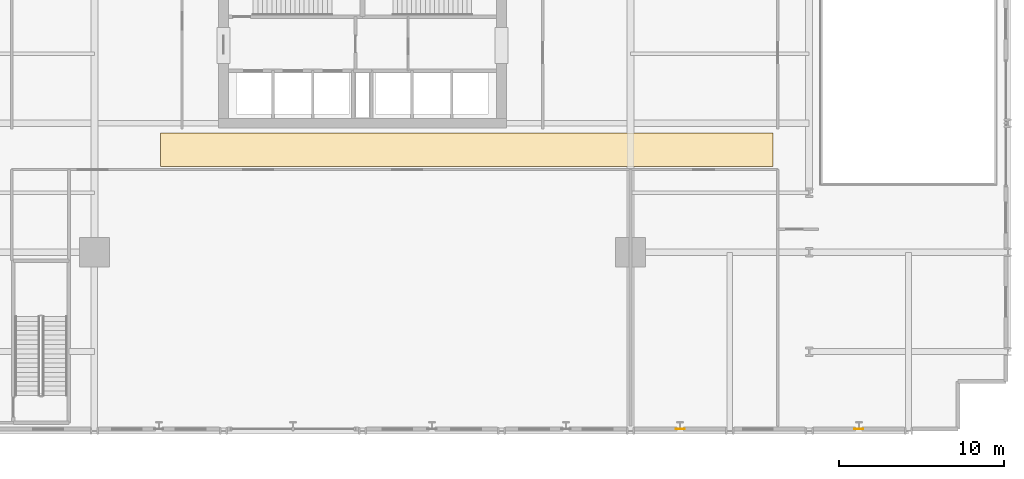
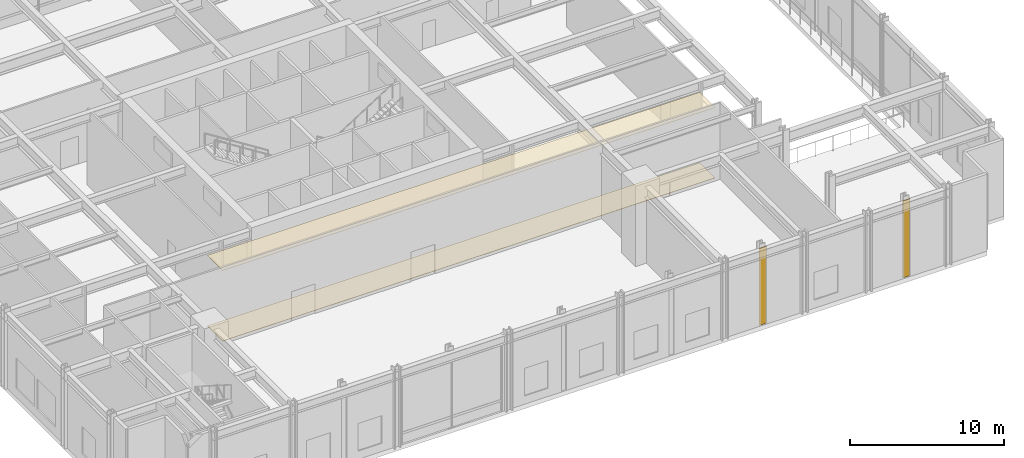
# One storey, part 17 of 20: 4 coverings.
"""IFC4 building model written with IfcOpenShell, lengths in metres."""

from ifc_helpers import new_model, si_unit, direction, frame, origin, origin_2d, place, context, subcontext, project, spatial, polyline, rectangle, outline, extrude, material, layer, layer_set, type_object, element, save


model = new_model("IFC4")

# Units and contexts
model_context = context("Model", 3, precision=1e-05, world=origin(), true_north=direction((0.0, 1.0)))
body_context = subcontext(model_context, "Body", "Model", "MODEL_VIEW")
ifc_project = project(units=[si_unit("LENGTHUNIT", "METRE"), si_unit("AREAUNIT", "SQUARE_METRE"), si_unit("VOLUMEUNIT", "CUBIC_METRE"), si_unit("PLANEANGLEUNIT", "RADIAN"), si_unit("MASSUNIT", "GRAM", prefix="KILO")], contexts=[model_context])

# Site, building, storey
site_placement = place(None, origin())
site = spatial("IfcSite", under=ifc_project, at=site_placement, CompositionType="ELEMENT")
building_placement = place(site_placement, origin())
building = spatial("IfcBuilding", under=site, at=building_placement, Name="Drelvath Grand Hotel", CompositionType="ELEMENT")
storey_placement = place(building_placement, frame((0.0, 0.0, 10.800048828125)))
storey = spatial("IfcBuildingStorey", under=building, at=storey_placement, Name="L02", CompositionType="ELEMENT", Elevation=10.800048828125)

# Coverings
ifc_material_1 = material(Name="Acoustic Gypsum Board")
ifc_layer_1 = layer(ifc_material_1, 0.02490234375)
ifc_layer_set_1 = layer_set([ifc_layer_1], Name="Acoustic Gypsum Board")
covering_type_1 = type_object("IfcCoveringType", Name="Acoustic Gypsum Hospitality Ceiling 25", PredefinedType="CEILING", material=ifc_layer_set_1)
covering_1_placement = place(storey_placement, frame((0.0, 0.0, 5.599853515625)))
element("IfcCovering", 1, at=covering_1_placement, inside=storey, type_object=covering_type_1, Name="L02 Podium Gallery Ceiling", PredefinedType="CEILING", context=body_context, shape_type="SweptSolid", body=[
    extrude(outline(polyline([(24.800048828125, 16.0), (24.800048828125, 18.0), (-12.199951171875, 18.0), (-12.199951171875, 16.0), (24.800048828125, 16.0)])), origin(), (0.0, 0.0, 1.0), 0.025146484375),
])
ifc_material_2 = material(Name="Warm Bronze Anodised Aluminium Cladding", Category="aluminium")
ifc_layer_2 = layer(ifc_material_2, 0.034912109375)
ifc_layer_set_2 = layer_set([ifc_layer_2], Name="Warm Bronze Anodised Aluminium Cladding")
covering_type_2 = type_object("IfcCoveringType", Name="Bronze Anodised Pier Cladding Panel 35", PredefinedType="CLADDING", material=ifc_layer_set_2)
for number, where, z_axis, x_axis, name in (
    (2, (19.199951171875, 0.1201171875, 0.0), (0.0, 0.0, 1.0), (1.0, 0.0, 0.0), "L02 Colonnade Bronze Pier Cladding S5"),
    (3, (30.0, 0.1201171875, 0.0), (0.0, 0.0, 1.0), (1.0, 0.0, 0.0), "L02 Colonnade Bronze Pier Cladding S6"),
):
    element("IfcCovering", number, at=place(storey_placement, frame(where, z_axis=z_axis, x_axis=x_axis)), inside=storey, type_object=covering_type_2, Name=name, PredefinedType="CLADDING", context=body_context, shape_type="SweptSolid", body=[
        extrude(rectangle(XDim=0.550048828125, YDim=0.034912109375, at=origin_2d()), origin(), (0.0, 0.0, 1.0), 6.10009765625),
    ])
ifc_material_3 = material(Name="Honed Indiana Limestone", Category="masonry")
ifc_layer_3 = layer(ifc_material_3, 0.030029296875)
ifc_layer_set_3 = layer_set([ifc_layer_3], Name="Honed Indiana Limestone")
covering_type_3 = type_object("IfcCoveringType", Name="Honed Limestone Lobby Flooring 30", PredefinedType="FLOORING", material=ifc_layer_set_3)
covering_2_placement = place(storey_placement, origin())
element("IfcCovering", 4, at=covering_2_placement, inside=storey, type_object=covering_type_3, Name="L02 Podium Gallery Stone Floor", PredefinedType="FLOORING", context=body_context, shape_type="SweptSolid", body=[
    extrude(outline(polyline([(24.800048828125, 16.0), (24.800048828125, 18.0), (-12.199951171875, 18.0), (-12.199951171875, 16.0), (24.800048828125, 16.0)])), origin(), (0.0, 0.0, 1.0), 0.030029296875),
])

save(model, "model.ifc")
